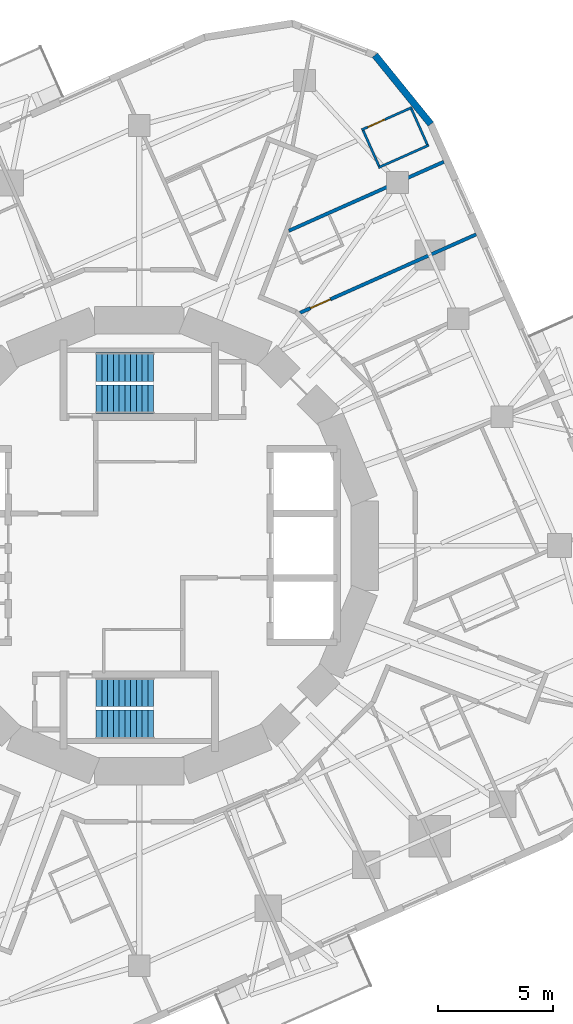
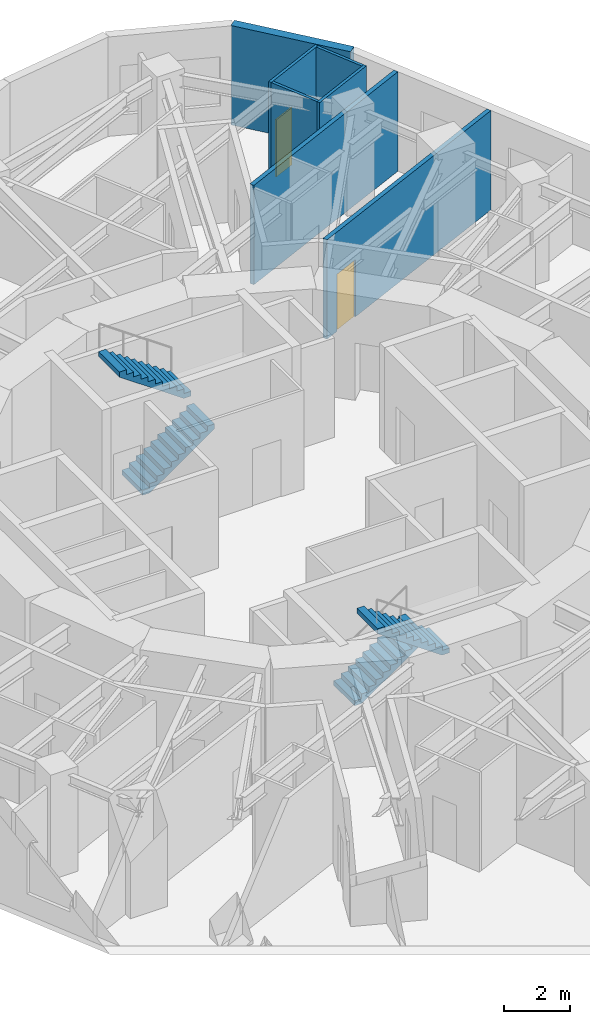
# One storey, part 10 of 12: 7 walls, 4 stair flights, 2 doors, 2 openings, 2 elements without a shape of their own.
"""IFC4 building model written with IfcOpenShell, lengths in metres."""

from ifc_helpers import new_model, si_unit, direction, frame, frame_2d, origin, place, context, subcontext, project, spatial, polyline, rectangle, outline, extrude, material, layer, layer_set, type_object, element, fill, aggregate, save


model = new_model("IFC4")

# Units and contexts
model_context = context("Model", 3, precision=1e-05, world=origin(), true_north=direction((0.0, 1.0)))
body_context = subcontext(model_context, "Body", "Model", "MODEL_VIEW")
ifc_project = project(units=[si_unit("LENGTHUNIT", "METRE"), si_unit("AREAUNIT", "SQUARE_METRE"), si_unit("VOLUMEUNIT", "CUBIC_METRE"), si_unit("PLANEANGLEUNIT", "RADIAN"), si_unit("MASSUNIT", "GRAM", prefix="KILO")], contexts=[model_context])

# Site, building, storey
site_placement = place(None, origin())
site = spatial("IfcSite", under=ifc_project, at=site_placement, CompositionType="ELEMENT")
building_placement = place(site_placement, origin())
building = spatial("IfcBuilding", under=site, at=building_placement, Name="Nakasero Lantern House", CompositionType="ELEMENT")
storey_placement = place(building_placement, frame((0.0, 0.0, 209.39990234375)))
storey = spatial("IfcBuildingStorey", under=building, at=storey_placement, Name="L51", CompositionType="ELEMENT", Elevation=209.39990234375)

# Wall, opening, door
ifc_material_1 = material(Name="Blockwork", Category="masonry")
ifc_layer_1 = layer(ifc_material_1, 0.10009765625)
ifc_layer_set_1 = layer_set([ifc_layer_1], Name="En-suite wall 100")
wall_type_1 = type_object("IfcWallType", Name="En-suite wall 100", PredefinedType="PARTITIONING", material=ifc_layer_set_1)
wall_1_placement = place(storey_placement, frame((9.676025390625, 18.0947265625, 0.0), z_axis=(0.0, 0.0, 1.0), x_axis=(0.913568090055, 0.406685806039, 0.0)))
wall_1 = element("IfcWall", 1, at=wall_1_placement, inside=storey, type_object=wall_type_1, Name="En-suite wall L51 ES0-06", PredefinedType="PARTITIONING", context=body_context, shape_type="SweptSolid", body=[
    extrude(rectangle(XDim=2.400146484375, YDim=0.10009765625, at=frame_2d((1.2001953125, 0.0))), origin(), (0.0, 0.0, 1.0), 3.650146484375),
])
opening_1_placement = place(wall_1_placement, frame((0.300048828125, 0.0, 0.0)))
opening_1 = element("IfcOpeningElement", 2, at=opening_1_placement, cuts=wall_1, Name="Opening D02", PredefinedType="OPENING", context=body_context, shape_type="SweptSolid", body=[
    extrude(rectangle(XDim=0.800048828125, YDim=2.10009765625, at=frame_2d((0.39990234375, 1.050048828125))), frame((0.0, 0.070068359375, 0.0), z_axis=(0.0, -1.0, 0.0), x_axis=(1.0, 0.0, 0.0)), (0.0, 0.0, 1.0), 0.14013671875),
])
ifc_material_2 = material(Name="Timber C24", Category="wood")
door_type_1 = type_object("IfcDoorType", Name="En-suite door 800", OperationType="SINGLE_SWING_RIGHT", PredefinedType="DOOR", material=ifc_material_2)
door_1_placement = place(opening_1_placement, origin())
door_1 = element("IfcDoor", 3, at=door_1_placement, inside=storey, type_object=door_type_1, Name="Door L51 DE0-06", OperationType="SINGLE_SWING_LEFT", OverallHeight=2.10009765625, OverallWidth=0.800048828125, PredefinedType="DOOR", context=body_context, shape_type="SweptSolid", body=[
    extrude(rectangle(XDim=0.800048828125, YDim=2.10009765625, at=frame_2d((0.39990234375, 1.050048828125))), frame((0.0, 0.02490234375, 0.0), z_axis=(0.0, -1.0, 0.0), x_axis=(1.0, 0.0, 0.0)), (0.0, 0.0, 1.0), 0.050048828125),
])
fill(opening_1, door_1)

# Walls
wall_2_placement = place(storey_placement, frame((10.408203125, 16.4501953125, 0.0), z_axis=(0.0, 0.0, 1.0), x_axis=(0.913513461389, 0.406808500233, 0.0)))
element("IfcWall", 4, at=wall_2_placement, inside=storey, type_object=wall_type_1, Name="En-suite wall L51 EV0-06", PredefinedType="PARTITIONING", context=body_context, shape_type="SweptSolid", body=[
    extrude(rectangle(XDim=2.39990234375, YDim=0.10009765625, at=frame_2d((1.199951171875, 0.0))), origin(), (0.0, 0.0, 1.0), 3.650146484375),
])
wall_3_placement = place(storey_placement, frame((12.53466796875, 17.45166015625, 0.0), z_axis=(0.0, 0.0, 1.0), x_axis=(-0.406671340378, 0.91357452948, 0.0)))
element("IfcWall", 5, at=wall_3_placement, inside=storey, type_object=wall_type_1, Name="En-suite wall L51 EE0-06", PredefinedType="PARTITIONING", context=body_context, shape_type="SweptSolid", body=[
    extrude(rectangle(XDim=1.7001953125, YDim=0.10009765625, at=frame_2d((0.85009765625, 0.0))), origin(), (0.0, 0.0, 1.0), 3.650146484375),
])
wall_4_placement = place(storey_placement, frame((10.43359375, 16.516357421875, 0.0), z_axis=(0.0, 0.0, 1.0), x_axis=(-0.406724697108, 0.913550776237, 0.0)))
element("IfcWall", 6, at=wall_4_placement, inside=storey, type_object=wall_type_1, Name="En-suite wall L51 EI0-06", PredefinedType="PARTITIONING", context=body_context, shape_type="SweptSolid", body=[
    extrude(rectangle(XDim=1.699951171875, YDim=0.10009765625, at=frame_2d((0.85009765625, 0.0))), origin(), (0.0, 0.0, 1.0), 3.650146484375),
])
ifc_material_3 = material(Name="Aluminium rainscreen on blockwork", Category="masonry")
ifc_layer_2 = layer(ifc_material_3, 0.300048828125)
ifc_layer_set_2 = layer_set([ifc_layer_2], Name="Facade wall 300")
wall_type_2 = type_object("IfcWallType", Name="Facade wall 300", PredefinedType="SOLIDWALL", material=ifc_layer_set_2)
wall_5_placement = place(storey_placement, frame((12.684814453125, 18.345458984375, 0.0), z_axis=(0.0, 0.0, 1.0), x_axis=(-0.629285642335, 0.777174099125, 0.0)))
element("IfcWall", 7, at=wall_5_placement, inside=storey, type_object=wall_type_2, Name="Facade wall L51 FW0C1", PredefinedType="SOLIDWALL", context=body_context, shape_type="SweptSolid", body=[
    extrude(rectangle(XDim=3.8564453125, YDim=0.300048828125, at=frame_2d((1.92822265625, 0.0))), origin(), (0.0, 0.0, 1.0), 3.650146484375),
])

# Wall, opening, door
ifc_material_4 = material(Name="Blockwork", Category="masonry")
ifc_layer_3 = layer(ifc_material_4, 0.14990234375)
ifc_layer_set_3 = layer_set([ifc_layer_3], Name="Party wall 150")
wall_type_3 = type_object("IfcWallType", Name="Party wall 150", PredefinedType="PARTITIONING", material=ifc_layer_set_3)
wall_6_placement = place(storey_placement, frame((6.99267578125, 10.130615234375, 0.0), z_axis=(0.0, 0.0, 1.0), x_axis=(0.913547411288, 0.406732255089, 0.0)))
wall_6 = element("IfcWall", 8, at=wall_6_placement, inside=storey, type_object=wall_type_3, Name="Party wall L51 PW0-05", PredefinedType="PARTITIONING", context=body_context, shape_type="SweptSolid", body=[
    extrude(rectangle(XDim=8.3916015625, YDim=0.14990234375, at=frame_2d((4.19580078125, 0.0))), origin(), (0.0, 0.0, 1.0), 3.650146484375),
])
opening_2_placement = place(wall_6_placement, frame((0.5, 0.0, 0.0)))
opening_2 = element("IfcOpeningElement", 9, at=opening_2_placement, cuts=wall_6, Name="Opening D01", PredefinedType="OPENING", context=body_context, shape_type="SweptSolid", body=[
    extrude(rectangle(XDim=0.949951171875, YDim=2.10009765625, at=frame_2d((0.47509765625, 1.050048828125))), frame((0.0, 0.094970703125, 0.0), z_axis=(0.0, -1.0, 0.0), x_axis=(1.0, 0.0, 0.0)), (0.0, 0.0, 1.0), 0.18994140625),
])
ifc_material_5 = material(Name="Timber C24", Category="wood")
door_type_2 = type_object("IfcDoorType", Name="Bedroom door FD30S 950", OperationType="SINGLE_SWING_LEFT", PredefinedType="DOOR", material=ifc_material_5)
door_2_placement = place(opening_2_placement, origin())
door_2 = element("IfcDoor", 10, at=door_2_placement, inside=storey, type_object=door_type_2, Name="Door L51 DS0-05", OperationType="SINGLE_SWING_LEFT", OverallHeight=2.10009765625, OverallWidth=0.949951171875, PredefinedType="DOOR", context=body_context, shape_type="SweptSolid", body=[
    extrude(rectangle(XDim=0.949951171875, YDim=2.10009765625, at=frame_2d((0.47509765625, 1.050048828125))), frame((0.0, 0.02490234375, 0.0), z_axis=(0.0, -1.0, 0.0), x_axis=(1.0, 0.0, 0.0)), (0.0, 0.0, 1.0), 0.050048828125),
])
fill(opening_2, door_2)

# Wall
wall_7_placement = place(storey_placement, frame((6.513671875, 13.70361328125, 0.0), z_axis=(0.0, 0.0, 1.0), x_axis=(0.913543815508, 0.406740331351, 0.0)))
element("IfcWall", 11, at=wall_7_placement, inside=storey, type_object=wall_type_3, Name="Party wall L51 PW0-06", PredefinedType="PARTITIONING", context=body_context, shape_type="SweptSolid", body=[
    extrude(rectangle(XDim=7.375732421875, YDim=0.14990234375, at=frame_2d((3.68798828125, 0.0))), origin(), (0.0, 0.0, 1.0), 3.650146484375),
])

# Stair, stair flights
ifc_material_6 = material(Name="Concrete C40/50", Category="concrete")
stair_type_1 = type_object("IfcStairType", Name="Escape stair ST1 22 risers", PredefinedType="HALF_TURN_STAIR", material=ifc_material_6)
stair_1_placement = place(storey_placement, origin())
stair_1 = element("IfcStair", 12, at=stair_1_placement, inside=storey, type_object=stair_type_1, Name="Escape stair ST1 L51", PredefinedType="HALF_TURN_STAIR")
ifc_material_7 = material(Name="Concrete C40/50", Category="concrete")
stair_flight_type = type_object("IfcStairFlightType", Name="Escape stair flight", PredefinedType="STRAIGHT", material=ifc_material_7)
stair_flight_1_placement = place(storey_placement, frame((-1.875, 6.375, 0.0), z_axis=(0.0, 0.0, 1.0), x_axis=(1.0, 0.0, 0.0)))
stair_flight_1 = element("IfcStairFlight", 13, at=stair_flight_1_placement, type_object=stair_flight_type, Name="ST1 flight 1", NumberOfRisers=11, NumberOfTreads=10, PredefinedType="STRAIGHT", RiserHeight=0.175, TreadLength=0.25, context=body_context, shape_type="SweptSolid", body=[
    extrude(outline(polyline([(0.0, 0.0), (0.0, 0.175048828125), (0.25, 0.175048828125), (0.25, 0.35009765625), (0.5, 0.35009765625), (0.5, 0.52490234375), (0.75, 0.52490234375), (0.75, 0.699951171875), (1.0, 0.699951171875), (1.0, 0.875), (1.25, 0.875), (1.25, 1.050048828125), (1.5, 1.050048828125), (1.5, 1.22509765625), (1.75, 1.22509765625), (1.75, 1.39990234375), (2.0, 1.39990234375), (2.0, 1.574951171875), (2.25, 1.574951171875), (2.25, 1.75), (2.5, 1.75), (2.5, 1.925048828125), (2.5, 1.567138671875), (0.261474609375, 0.0), (0.0, 0.0)])), frame((0.0, 0.625, 0.0), z_axis=(0.0, -1.0, 0.0), x_axis=(1.0, 0.0, 0.0)), (0.0, 0.0, 1.0), 1.25),
])
stair_flight_2_placement = place(storey_placement, frame((0.625, 7.77490234375, 1.925048828125), z_axis=(0.0, 0.0, 1.0), x_axis=(-1.0, 0.0, 0.0)))
stair_flight_2 = element("IfcStairFlight", 14, at=stair_flight_2_placement, type_object=stair_flight_type, Name="ST1 flight 2", NumberOfRisers=11, NumberOfTreads=10, PredefinedType="STRAIGHT", RiserHeight=0.175, TreadLength=0.25, context=body_context, shape_type="SweptSolid", body=[
    extrude(outline(polyline([(0.0, 0.0), (0.0, 0.175048828125), (0.25, 0.175048828125), (0.25, 0.35009765625), (0.5, 0.35009765625), (0.5, 0.52490234375), (0.75, 0.52490234375), (0.75, 0.699951171875), (1.0, 0.699951171875), (1.0, 0.875), (1.25, 0.875), (1.25, 1.050048828125), (1.5, 1.050048828125), (1.5, 1.22509765625), (1.75, 1.22509765625), (1.75, 1.39990234375), (2.0, 1.39990234375), (2.0, 1.574951171875), (2.25, 1.574951171875), (2.25, 1.75), (2.5, 1.75), (2.5, 1.925048828125), (2.5, 1.567138671875), (0.261474609375, 0.0), (0.0, 0.0)])), frame((0.0, 0.625, 0.0), z_axis=(0.0, -1.0, 0.0), x_axis=(1.0, 0.0, 0.0)), (0.0, 0.0, 1.0), 1.25),
])
aggregate(stair_1, [stair_flight_1, stair_flight_2])

ifc_material_8 = material(Name="Concrete C40/50", Category="concrete")
stair_type_2 = type_object("IfcStairType", Name="Escape stair ST2 22 risers", PredefinedType="HALF_TURN_STAIR", material=ifc_material_8)
stair_2_placement = place(storey_placement, origin())
stair_2 = element("IfcStair", 15, at=stair_2_placement, inside=storey, type_object=stair_type_2, Name="Escape stair ST2 L51", PredefinedType="HALF_TURN_STAIR")
stair_flight_3_placement = place(storey_placement, frame((-1.875, -6.375, 0.0), z_axis=(0.0, 0.0, 1.0), x_axis=(1.0, 0.0, 0.0)))
stair_flight_3 = element("IfcStairFlight", 16, at=stair_flight_3_placement, type_object=stair_flight_type, Name="ST2 flight 1", NumberOfRisers=11, NumberOfTreads=10, PredefinedType="STRAIGHT", RiserHeight=0.175, TreadLength=0.25, context=body_context, shape_type="SweptSolid", body=[
    extrude(outline(polyline([(0.0, 0.0), (0.0, 0.175048828125), (0.25, 0.175048828125), (0.25, 0.35009765625), (0.5, 0.35009765625), (0.5, 0.52490234375), (0.75, 0.52490234375), (0.75, 0.699951171875), (1.0, 0.699951171875), (1.0, 0.875), (1.25, 0.875), (1.25, 1.050048828125), (1.5, 1.050048828125), (1.5, 1.22509765625), (1.75, 1.22509765625), (1.75, 1.39990234375), (2.0, 1.39990234375), (2.0, 1.574951171875), (2.25, 1.574951171875), (2.25, 1.75), (2.5, 1.75), (2.5, 1.925048828125), (2.5, 1.567138671875), (0.261474609375, 0.0), (0.0, 0.0)])), frame((0.0, 0.625, 0.0), z_axis=(0.0, -1.0, 0.0), x_axis=(1.0, 0.0, 0.0)), (0.0, 0.0, 1.0), 1.25),
])
stair_flight_4_placement = place(storey_placement, frame((0.625, -7.77490234375, 1.925048828125), z_axis=(0.0, 0.0, 1.0), x_axis=(-1.0, 0.0, 0.0)))
stair_flight_4 = element("IfcStairFlight", 17, at=stair_flight_4_placement, type_object=stair_flight_type, Name="ST2 flight 2", NumberOfRisers=11, NumberOfTreads=10, PredefinedType="STRAIGHT", RiserHeight=0.175, TreadLength=0.25, context=body_context, shape_type="SweptSolid", body=[
    extrude(outline(polyline([(0.0, 0.0), (0.0, 0.175048828125), (0.25, 0.175048828125), (0.25, 0.35009765625), (0.5, 0.35009765625), (0.5, 0.52490234375), (0.75, 0.52490234375), (0.75, 0.699951171875), (1.0, 0.699951171875), (1.0, 0.875), (1.25, 0.875), (1.25, 1.050048828125), (1.5, 1.050048828125), (1.5, 1.22509765625), (1.75, 1.22509765625), (1.75, 1.39990234375), (2.0, 1.39990234375), (2.0, 1.574951171875), (2.25, 1.574951171875), (2.25, 1.75), (2.5, 1.75), (2.5, 1.925048828125), (2.5, 1.567138671875), (0.261474609375, 0.0), (0.0, 0.0)])), frame((0.0, 0.625, 0.0), z_axis=(0.0, -1.0, 0.0), x_axis=(1.0, 0.0, 0.0)), (0.0, 0.0, 1.0), 1.25),
])
aggregate(stair_2, [stair_flight_3, stair_flight_4])

save(model, "model.ifc")
